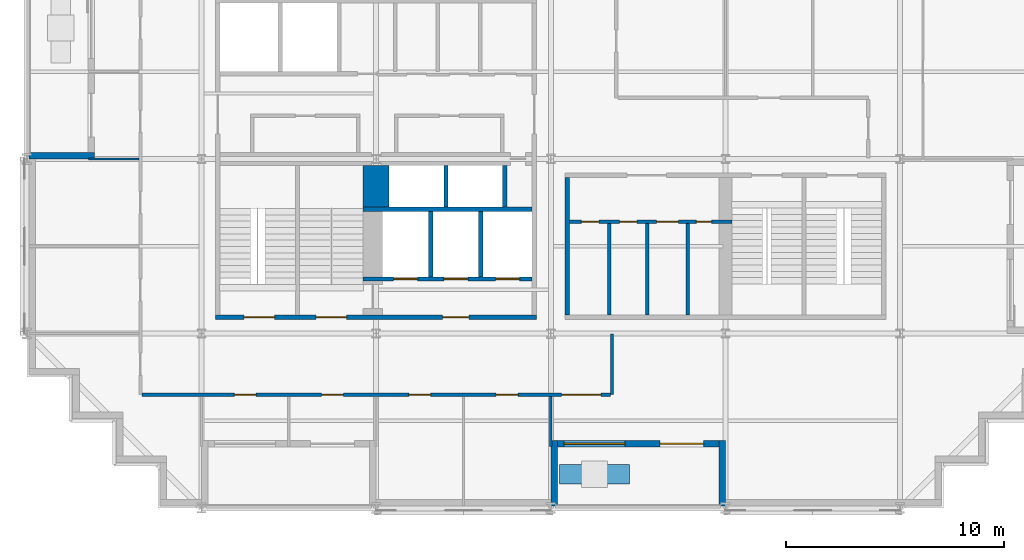
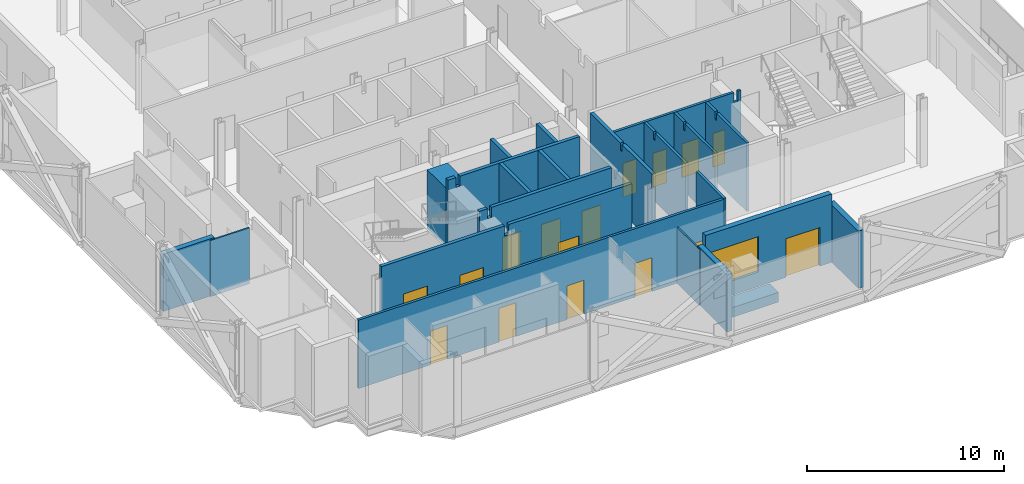
# One storey, part 6 of 15: 22 walls, 16 doors, 1 window, 17 openings.
"""IFC4 building model written with IfcOpenShell, lengths in metres."""

from ifc_helpers import new_model, si_unit, direction, frame, frame_2d, origin, place, context, subcontext, project, spatial, polyline, rectangle, outline, extrude, material, layer, layer_set, type_object, element, fill, save


model = new_model("IFC4")

# Units and contexts
model_context = context("Model", 3, precision=1e-05, world=origin(), true_north=direction((0.0, 1.0)))
body_context = subcontext(model_context, "Body", "Model", "MODEL_VIEW")
ifc_project = project(units=[si_unit("LENGTHUNIT", "METRE"), si_unit("AREAUNIT", "SQUARE_METRE"), si_unit("VOLUMEUNIT", "CUBIC_METRE"), si_unit("PLANEANGLEUNIT", "RADIAN"), si_unit("MASSUNIT", "GRAM", prefix="KILO")], contexts=[model_context])

# Site, building, storey
site_placement = place(None, origin())
site = spatial("IfcSite", under=ifc_project, at=site_placement, CompositionType="ELEMENT")
building_placement = place(site_placement, origin())
building = spatial("IfcBuilding", under=site, at=building_placement, Name="Immortelle Media Tower", CompositionType="ELEMENT")
storey_placement = place(building_placement, frame((0.0, 0.0, 83.199951171875)))
storey = spatial("IfcBuildingStorey", under=building, at=storey_placement, Name="L15", CompositionType="ELEMENT", Elevation=83.199951171875)

# Wall, openings, doors
ifc_material_1 = material(Name="Fire-rated gypsum board", Category="gypsum")
ifc_layer_1 = layer(ifc_material_1, 0.02490234375)
ifc_material_2 = material(Name="Steel ASTM A653 SS Gr 50 stud frame with mineral wool", Category="steel")
ifc_layer_2 = layer(ifc_material_2, 0.10009765625)
ifc_layer_3 = layer(ifc_material_1, 0.02490234375)
ifc_layer_set_1 = layer_set([ifc_layer_1, ifc_layer_2, ifc_layer_3], Name="Steel ASTM A653 SS Gr 50 stud frame with mineral wool")
wall_type_1 = type_object("IfcWallType", Name="Core partition 150", PredefinedType="PARTITIONING", material=ifc_layer_set_1)
wall_1_placement = place(storey_placement, frame((24.85009765625, 13.125, 0.0), z_axis=(0.0, 0.0, 1.0), x_axis=(1.0, 0.0, 0.0)))
wall_1 = element("IfcWall", 1, at=wall_1_placement, inside=storey, type_object=wall_type_1, Name="Core partition SE", PredefinedType="PARTITIONING", context=body_context, shape_type="SweptSolid", body=[
    extrude(outline(polyline([(0.0, 0.0), (7.449951171875, 0.0), (7.449951171875, 4.25), (7.26953125, 4.25), (7.2685546875, 3.632080078125), (7.031494140625, 3.632080078125), (7.030517578125, 4.25), (0.0, 4.25), (0.0, 0.0)])), frame((0.0, 0.074951171875, 0.0), z_axis=(0.0, -1.0, 0.0), x_axis=(1.0, 0.0, 0.0)), (0.0, 0.0, 1.0), 0.14990234375),
])
opening_1_placement = place(wall_1_placement, frame((1.35009765625, 0.0, 0.0), z_axis=(0.0, 0.0, 1.0), x_axis=(-1.0, 0.0, 0.0)))
opening_1 = element("IfcOpeningElement", 2, at=opening_1_placement, cuts=wall_1, Name="Opening N4-K040", PredefinedType="OPENING", context=body_context, shape_type="SweptSolid", body=[
    extrude(rectangle(XDim=0.800048828125, YDim=2.10009765625, at=frame_2d((0.39990234375, 1.050048828125))), frame((0.0, 0.0849609375, 0.0), z_axis=(0.0, -1.0, 0.0), x_axis=(1.0, 0.0, 0.0)), (0.0, 0.0, 1.0), 0.169921875),
])
opening_2_placement = place(wall_1_placement, frame((3.10009765625, 0.0, 0.0), z_axis=(0.0, 0.0, 1.0), x_axis=(-1.0, 0.0, 0.0)))
opening_2 = element("IfcOpeningElement", 3, at=opening_2_placement, cuts=wall_1, Name="Opening N4-K041", PredefinedType="OPENING", context=body_context, shape_type="SweptSolid", body=[
    extrude(rectangle(XDim=0.800048828125, YDim=2.10009765625, at=frame_2d((0.39990234375, 1.050048828125))), frame((0.0, 0.0849609375, 0.0), z_axis=(0.0, -1.0, 0.0), x_axis=(1.0, 0.0, 0.0)), (0.0, 0.0, 1.0), 0.169921875),
])
opening_3_placement = place(wall_1_placement, frame((5.0, 0.0, 0.0), z_axis=(0.0, 0.0, 1.0), x_axis=(-1.0, 0.0, 0.0)))
opening_3 = element("IfcOpeningElement", 4, at=opening_3_placement, cuts=wall_1, Name="Opening N4-K042", PredefinedType="OPENING", context=body_context, shape_type="SweptSolid", body=[
    extrude(rectangle(XDim=1.0, YDim=2.10009765625, at=frame_2d((0.5, 1.050048828125))), frame((0.0, 0.0849609375, 0.0), z_axis=(0.0, -1.0, 0.0), x_axis=(1.0, 0.0, 0.0)), (0.0, 0.0, 1.0), 0.169921875),
])
opening_4_placement = place(wall_1_placement, frame((6.52490234375, 0.0, 0.0), z_axis=(0.0, 0.0, 1.0), x_axis=(-1.0, 0.0, 0.0)))
opening_4 = element("IfcOpeningElement", 5, at=opening_4_placement, cuts=wall_1, Name="Opening N4-K043", PredefinedType="OPENING", context=body_context, shape_type="SweptSolid", body=[
    extrude(rectangle(XDim=0.699951171875, YDim=2.10009765625, at=frame_2d((0.35009765625, 1.050048828125))), frame((0.0, 0.0849609375, 0.0), z_axis=(0.0, -1.0, 0.0), x_axis=(1.0, 0.0, 0.0)), (0.0, 0.0, 1.0), 0.169921875),
])
ifc_material_3 = material(Name="Timber", Category="wood")
door_type_1 = type_object("IfcDoorType", Name="Accessible toilet door 1000 x 2100", OperationType="NOTDEFINED", PredefinedType="NOTDEFINED", material=ifc_material_3)
door_1_placement = place(opening_3_placement, origin())
door_1 = element("IfcDoor", 6, at=door_1_placement, inside=storey, type_object=door_type_1, Name="Accessible toilet N4-K042", OperationType="SINGLE_SWING_LEFT", OverallHeight=2.10009765625, OverallWidth=1.0, PredefinedType="NOTDEFINED", context=body_context, shape_type="SweptSolid", body=[
    extrude(rectangle(XDim=1.0, YDim=2.10009765625, at=frame_2d((0.5, 1.050048828125))), frame((0.0, 0.02490234375, 0.0), z_axis=(0.0, -1.0, 0.0), x_axis=(1.0, 0.0, 0.0)), (0.0, 0.0, 1.0), 0.050048828125),
])
fill(opening_3, door_1)
ifc_material_4 = material(Name="Galvanised steel door leaf and frame ASTM A653", Category="steel")
door_type_2 = type_object("IfcDoorType", Name="Service door 700 x 2100", OperationType="NOTDEFINED", PredefinedType="NOTDEFINED", material=ifc_material_4)
door_2_placement = place(opening_4_placement, origin())
door_2 = element("IfcDoor", 7, at=door_2_placement, inside=storey, type_object=door_type_2, Name="Service N4-K043", OperationType="SINGLE_SWING_LEFT", OverallHeight=2.10009765625, OverallWidth=0.699951171875, PredefinedType="NOTDEFINED", context=body_context, shape_type="SweptSolid", body=[
    extrude(rectangle(XDim=0.699951171875, YDim=2.10009765625, at=frame_2d((0.35009765625, 1.050048828125))), frame((0.0, 0.02490234375, 0.0), z_axis=(0.0, -1.0, 0.0), x_axis=(1.0, 0.0, 0.0)), (0.0, 0.0, 1.0), 0.050048828125),
])
fill(opening_4, door_2)
door_type_3 = type_object("IfcDoorType", Name="Toilet door 800 x 2100", OperationType="NOTDEFINED", PredefinedType="NOTDEFINED", material=ifc_material_3)
door_3_placement = place(opening_1_placement, origin())
door_3 = element("IfcDoor", 8, at=door_3_placement, inside=storey, type_object=door_type_3, Name="Toilet N4-K040", OperationType="SINGLE_SWING_LEFT", OverallHeight=2.10009765625, OverallWidth=0.800048828125, PredefinedType="NOTDEFINED", context=body_context, shape_type="SweptSolid", body=[
    extrude(rectangle(XDim=0.800048828125, YDim=2.10009765625, at=frame_2d((0.39990234375, 1.050048828125))), frame((0.0, 0.02490234375, 0.0), z_axis=(0.0, -1.0, 0.0), x_axis=(1.0, 0.0, 0.0)), (0.0, 0.0, 1.0), 0.050048828125),
])
fill(opening_1, door_3)
door_4_placement = place(opening_2_placement, origin())
door_4 = element("IfcDoor", 9, at=door_4_placement, inside=storey, type_object=door_type_3, Name="Toilet N4-K041", OperationType="SINGLE_SWING_RIGHT", OverallHeight=2.10009765625, OverallWidth=0.800048828125, PredefinedType="NOTDEFINED", context=body_context, shape_type="SweptSolid", body=[
    extrude(rectangle(XDim=0.800048828125, YDim=2.10009765625, at=frame_2d((0.39990234375, 1.050048828125))), frame((0.0, 0.02490234375, 0.0), z_axis=(0.0, -1.0, 0.0), x_axis=(1.0, 0.0, 0.0)), (0.0, 0.0, 1.0), 0.050048828125),
])
fill(opening_2, door_4)

# Walls
for number, where, z_axis, x_axis, name in (
    (10, (26.675048828125, 8.85009765625, 0.0), (0.0, 0.0, 1.0), (0.0, 1.0, 0.0), "Core partition SE"),
    (11, (28.425048828125, 8.85009765625, 0.0), (0.0, 0.0, 1.0), (0.0, 1.0, 0.0), "Core partition SE"),
    (12, (30.27490234375, 8.85009765625, 0.0), (0.0, 0.0, 1.0), (0.0, 1.0, 0.0), "Core partition SE"),
):
    element("IfcWall", number, at=place(storey_placement, frame(where, z_axis=z_axis, x_axis=x_axis)), inside=storey, type_object=wall_type_1, Name=name, PredefinedType="PARTITIONING", context=body_context, shape_type="SweptSolid", body=[
        extrude(outline(polyline([(0.0, 0.0), (4.199951171875, 0.0), (4.199951171875, 4.25), (3.2314453125, 4.25), (3.23046875, 3.7890625), (3.069580078125, 3.7890625), (3.068603515625, 4.25), (0.0, 4.25), (0.0, 0.0)])), frame((0.0, 0.074951171875, 0.0), z_axis=(0.0, -1.0, 0.0), x_axis=(1.0, 0.0, 0.0)), (0.0, 0.0, 1.0), 0.14990234375),
    ])

# Wall, openings, doors
ifc_layer_4 = layer(ifc_material_1, 0.03759765625)
ifc_layer_5 = layer(ifc_material_2, 0.125)
ifc_layer_6 = layer(ifc_material_1, 0.03759765625)
ifc_layer_set_2 = layer_set([ifc_layer_4, ifc_layer_5, ifc_layer_6], Name="Steel ASTM A653 SS Gr 50 stud frame with mineral wool")
wall_type_2 = type_object("IfcWallType", Name="Core shaft wall 200", PredefinedType="PARTITIONING", material=ifc_layer_set_2)
wall_2_placement = place(storey_placement, frame((15.39990234375, 10.5, 0.0), z_axis=(0.0, 0.0, 1.0), x_axis=(1.0, 0.0, 0.0)))
wall_2 = element("IfcWall", 13, at=wall_2_placement, inside=storey, type_object=wall_type_2, Name="Core shaft wall SW", PredefinedType="PARTITIONING", context=body_context, shape_type="SweptSolid", body=[
    extrude(outline(polyline([(0.0, 0.0), (7.75, 0.0), (7.75, 4.25), (0.719482421875, 4.25), (0.718505859375, 3.632080078125), (0.4814453125, 3.632080078125), (0.48046875, 4.25), (0.0, 4.25), (0.0, 0.0)])), frame((0.0, 0.10009765625, 0.0), z_axis=(0.0, -1.0, 0.0), x_axis=(1.0, 0.0, 0.0)), (0.0, 0.0, 1.0), 0.199951171875),
])
opening_5_placement = place(wall_2_placement, frame((1.39990234375, 0.0, 0.0)))
opening_5 = element("IfcOpeningElement", 14, at=opening_5_placement, cuts=wall_2, Name="Opening LD", PredefinedType="OPENING", context=body_context, shape_type="SweptSolid", body=[
    extrude(rectangle(XDim=1.10009765625, YDim=2.10009765625, at=frame_2d((0.550048828125, 1.050048828125))), frame((0.0, 0.10986328125, 0.0), z_axis=(0.0, -1.0, 0.0), x_axis=(1.0, 0.0, 0.0)), (0.0, 0.0, 1.0), 0.219970703125),
])
opening_6_placement = place(wall_2_placement, frame((3.699951171875, 0.0, 0.0)))
opening_6 = element("IfcOpeningElement", 15, at=opening_6_placement, cuts=wall_2, Name="Opening LD", PredefinedType="OPENING", context=body_context, shape_type="SweptSolid", body=[
    extrude(rectangle(XDim=1.10009765625, YDim=2.10009765625, at=frame_2d((0.550048828125, 1.050048828125))), frame((0.0, 0.10986328125, 0.0), z_axis=(0.0, -1.0, 0.0), x_axis=(1.0, 0.0, 0.0)), (0.0, 0.0, 1.0), 0.219970703125),
])
opening_7_placement = place(wall_2_placement, frame((6.074951171875, 0.0, 0.0)))
opening_7 = element("IfcOpeningElement", 16, at=opening_7_placement, cuts=wall_2, Name="Opening LD", PredefinedType="OPENING", context=body_context, shape_type="SweptSolid", body=[
    extrude(rectangle(XDim=1.10009765625, YDim=2.10009765625, at=frame_2d((0.550048828125, 1.050048828125))), frame((0.0, 0.10986328125, 0.0), z_axis=(0.0, -1.0, 0.0), x_axis=(1.0, 0.0, 0.0)), (0.0, 0.0, 1.0), 0.219970703125),
])
ifc_material_5 = material(Name="Stainless steel AISI 304", Category="steel")
door_type_4 = type_object("IfcDoorType", Name="Landing door 1100 x 2100", OperationType="SLIDING_TO_LEFT", PredefinedType="NOTDEFINED", material=ifc_material_5)
door_5_placement = place(opening_5_placement, origin())
door_5 = element("IfcDoor", 17, at=door_5_placement, inside=storey, type_object=door_type_4, Name="Landing door FF1 L15", OperationType="SLIDING_TO_LEFT", OverallHeight=2.10009765625, OverallWidth=1.10009765625, PredefinedType="NOTDEFINED", context=body_context, shape_type="SweptSolid", body=[
    extrude(rectangle(XDim=1.10009765625, YDim=2.10009765625, at=frame_2d((0.550048828125, 1.050048828125))), frame((0.0, 0.02490234375, 0.0), z_axis=(0.0, -1.0, 0.0), x_axis=(1.0, 0.0, 0.0)), (0.0, 0.0, 1.0), 0.050048828125),
])
fill(opening_5, door_5)
door_6_placement = place(opening_6_placement, origin())
door_6 = element("IfcDoor", 18, at=door_6_placement, inside=storey, type_object=door_type_4, Name="Landing door FF2 L15", OperationType="SLIDING_TO_LEFT", OverallHeight=2.10009765625, OverallWidth=1.10009765625, PredefinedType="NOTDEFINED", context=body_context, shape_type="SweptSolid", body=[
    extrude(rectangle(XDim=1.10009765625, YDim=2.10009765625, at=frame_2d((0.550048828125, 1.050048828125))), frame((0.0, 0.02490234375, 0.0), z_axis=(0.0, -1.0, 0.0), x_axis=(1.0, 0.0, 0.0)), (0.0, 0.0, 1.0), 0.050048828125),
])
fill(opening_6, door_6)
door_7_placement = place(opening_7_placement, origin())
door_7 = element("IfcDoor", 19, at=door_7_placement, inside=storey, type_object=door_type_4, Name="Landing door FF3 L15", OperationType="SLIDING_TO_LEFT", OverallHeight=2.10009765625, OverallWidth=1.10009765625, PredefinedType="NOTDEFINED", context=body_context, shape_type="SweptSolid", body=[
    extrude(rectangle(XDim=1.10009765625, YDim=2.10009765625, at=frame_2d((0.550048828125, 1.050048828125))), frame((0.0, 0.02490234375, 0.0), z_axis=(0.0, -1.0, 0.0), x_axis=(1.0, 0.0, 0.0)), (0.0, 0.0, 1.0), 0.050048828125),
])
fill(opening_7, door_7)

# Walls
wall_3_placement = place(storey_placement, frame((15.39990234375, 13.699951171875, 0.0), z_axis=(0.0, 0.0, 1.0), x_axis=(1.0, 0.0, 0.0)))
element("IfcWall", 20, at=wall_3_placement, inside=storey, type_object=wall_type_2, Name="Core shaft wall SW", PredefinedType="PARTITIONING", context=body_context, shape_type="SweptSolid", body=[
    extrude(outline(polyline([(0.0, 0.0), (7.75, 0.0), (7.75, 4.25), (0.719482421875, 4.25), (0.718505859375, 3.632080078125), (0.4814453125, 3.632080078125), (0.48046875, 4.25), (0.0, 4.25), (0.0, 0.0)])), frame((0.0, 0.10009765625, 0.0), z_axis=(0.0, -1.0, 0.0), x_axis=(1.0, 0.0, 0.0)), (0.0, 0.0, 1.0), 0.199951171875),
])
wall_4_placement = place(storey_placement, frame((18.5, 10.60009765625, 0.0), z_axis=(0.0, 0.0, 1.0), x_axis=(0.0, 1.0, 0.0)))
element("IfcWall", 21, at=wall_4_placement, inside=storey, type_object=wall_type_2, Name="Core shaft wall SW", PredefinedType="PARTITIONING", context=body_context, shape_type="SweptSolid", body=[
    extrude(rectangle(XDim=3.0, YDim=0.199951171875, at=frame_2d((1.5, 0.0))), origin(), (0.0, 0.0, 1.0), 4.25),
])
wall_5_placement = place(storey_placement, frame((19.199951171875, 13.800048828125, 0.0), z_axis=(0.0, 0.0, 1.0), x_axis=(0.0, 1.0, 0.0)))
element("IfcWall", 22, at=wall_5_placement, inside=storey, type_object=wall_type_2, Name="Core shaft wall SW", PredefinedType="PARTITIONING", context=body_context, shape_type="SweptSolid", body=[
    extrude(rectangle(XDim=1.89990234375, YDim=0.199951171875, at=frame_2d((0.949951171875, 0.0))), origin(), (0.0, 0.0, 1.0), 4.25),
])
wall_6_placement = place(storey_placement, frame((20.800048828125, 10.60009765625, 0.0), z_axis=(0.0, 0.0, 1.0), x_axis=(0.0, 1.0, 0.0)))
element("IfcWall", 23, at=wall_6_placement, inside=storey, type_object=wall_type_2, Name="Core shaft wall SW", PredefinedType="PARTITIONING", context=body_context, shape_type="SweptSolid", body=[
    extrude(rectangle(XDim=3.0, YDim=0.199951171875, at=frame_2d((1.5, 0.0))), origin(), (0.0, 0.0, 1.0), 4.25),
])
wall_7_placement = place(storey_placement, frame((21.89990234375, 13.800048828125, 0.0), z_axis=(0.0, 0.0, 1.0), x_axis=(0.0, 1.0, 0.0)))
element("IfcWall", 24, at=wall_7_placement, inside=storey, type_object=wall_type_2, Name="Core shaft wall SW", PredefinedType="PARTITIONING", context=body_context, shape_type="SweptSolid", body=[
    extrude(rectangle(XDim=1.89990234375, YDim=0.199951171875, at=frame_2d((0.949951171875, 0.0))), origin(), (0.0, 0.0, 1.0), 4.25),
])
wall_8_placement = place(storey_placement, frame((24.75, 8.85009765625, 0.0), z_axis=(0.0, 0.0, 1.0), x_axis=(0.0, 1.0, 0.0)))
element("IfcWall", 25, at=wall_8_placement, inside=storey, type_object=wall_type_2, Name="Core shaft wall SE", PredefinedType="PARTITIONING", context=body_context, shape_type="SweptSolid", body=[
    extrude(outline(polyline([(0.0, 0.0), (6.2998046875, 0.0), (6.300048828125, 4.25), (3.2314453125, 4.25), (3.23046875, 3.7890625), (3.069580078125, 3.7890625), (3.068603515625, 4.25), (0.0, 4.25), (0.0, 0.0)])), frame((0.0, 0.10009765625, 0.0), z_axis=(0.0, -1.0, 0.0), x_axis=(1.0, 0.0, 0.0)), (0.0, 0.0, 1.0), 0.199951171875),
])

# Wall, openings, doors
ifc_layer_7 = layer(ifc_material_1, 0.012451171875)
ifc_layer_8 = layer(ifc_material_2, 0.125)
ifc_layer_9 = layer(ifc_material_1, 0.012451171875)
ifc_layer_set_3 = layer_set([ifc_layer_7, ifc_layer_8, ifc_layer_9], Name="Steel ASTM A653 SS Gr 50 stud frame with mineral wool")
wall_type_3 = type_object("IfcWallType", Name="Corridor wall 150", PredefinedType="PARTITIONING", material=ifc_layer_set_3)
wall_9_placement = place(storey_placement, frame((5.27490234375, 5.199951171875, 0.0), z_axis=(0.0, 0.0, 1.0), x_axis=(1.0, 0.0, 0.0)))
wall_9 = element("IfcWall", 26, at=wall_9_placement, inside=storey, type_object=wall_type_3, Name="Partition L15-006", PredefinedType="PARTITIONING", context=body_context, shape_type="SweptSolid", body=[
    extrude(rectangle(XDim=21.4501953125, YDim=0.14990234375, at=frame_2d((10.72509765625, 0.0))), origin(), (0.0, 0.0, 1.0), 4.25),
])
opening_8_placement = place(wall_9_placement, frame((13.22509765625, 0.0, 0.0), z_axis=(0.0, 0.0, 1.0), x_axis=(-1.0, 0.0, 0.0)))
opening_8 = element("IfcOpeningElement", 27, at=opening_8_placement, cuts=wall_9, Name="Opening N4-F001", PredefinedType="OPENING", context=body_context, shape_type="SweptSolid", body=[
    extrude(rectangle(XDim=1.0, YDim=2.10009765625, at=frame_2d((0.5, 1.050048828125))), frame((0.0, 0.0849609375, 0.0), z_axis=(0.0, -1.0, 0.0), x_axis=(1.0, 0.0, 0.0)), (0.0, 0.0, 1.0), 0.169921875),
])
opening_9_placement = place(wall_9_placement, frame((17.22509765625, 0.0, 0.0), z_axis=(0.0, 0.0, 1.0), x_axis=(-1.0, 0.0, 0.0)))
opening_9 = element("IfcOpeningElement", 28, at=opening_9_placement, cuts=wall_9, Name="Opening N4-F002", PredefinedType="OPENING", context=body_context, shape_type="SweptSolid", body=[
    extrude(rectangle(XDim=1.0, YDim=2.10009765625, at=frame_2d((0.5, 1.050048828125))), frame((0.0, 0.0849609375, 0.0), z_axis=(0.0, -1.0, 0.0), x_axis=(1.0, 0.0, 0.0)), (0.0, 0.0, 1.0), 0.169921875),
])
opening_10_placement = place(wall_9_placement, frame((5.22509765625, 0.0, 0.0), z_axis=(0.0, 0.0, 1.0), x_axis=(-1.0, 0.0, 0.0)))
opening_10 = element("IfcOpeningElement", 29, at=opening_10_placement, cuts=wall_9, Name="Opening N4-F003", PredefinedType="OPENING", context=body_context, shape_type="SweptSolid", body=[
    extrude(rectangle(XDim=1.0, YDim=2.10009765625, at=frame_2d((0.5, 1.050048828125))), frame((0.0, 0.0849609375, 0.0), z_axis=(0.0, -1.0, 0.0), x_axis=(1.0, 0.0, 0.0)), (0.0, 0.0, 1.0), 0.169921875),
])
opening_11_placement = place(wall_9_placement, frame((9.22509765625, 0.0, 0.0), z_axis=(0.0, 0.0, 1.0), x_axis=(-1.0, 0.0, 0.0)))
opening_11 = element("IfcOpeningElement", 30, at=opening_11_placement, cuts=wall_9, Name="Opening N4-F004", PredefinedType="OPENING", context=body_context, shape_type="SweptSolid", body=[
    extrude(rectangle(XDim=1.0, YDim=2.10009765625, at=frame_2d((0.5, 1.050048828125))), frame((0.0, 0.0849609375, 0.0), z_axis=(0.0, -1.0, 0.0), x_axis=(1.0, 0.0, 0.0)), (0.0, 0.0, 1.0), 0.169921875),
])
opening_12_placement = place(wall_9_placement, frame((19.22509765625, 0.0, 0.0)))
opening_12 = element("IfcOpeningElement", 31, at=opening_12_placement, cuts=wall_9, Name="Opening N4-F006", PredefinedType="OPENING", context=body_context, shape_type="SweptSolid", body=[
    extrude(rectangle(XDim=1.800048828125, YDim=2.10009765625, at=frame_2d((0.89990234375, 1.050048828125))), frame((0.0, 0.0849609375, 0.0), z_axis=(0.0, -1.0, 0.0), x_axis=(1.0, 0.0, 0.0)), (0.0, 0.0, 1.0), 0.169921875),
])
ifc_material_6 = material(Name="Timber veneered door leaf, galvanised steel frame ASTM A653", Category="steel")
door_type_5 = type_object("IfcDoorType", Name="Room door 1000 x 2100", OperationType="NOTDEFINED", PredefinedType="DOOR", material=ifc_material_6)
door_8_placement = place(opening_8_placement, origin())
door_8 = element("IfcDoor", 32, at=door_8_placement, inside=storey, type_object=door_type_5, Name="Door N4-F001", OperationType="SINGLE_SWING_RIGHT", OverallHeight=2.10009765625, OverallWidth=1.0, PredefinedType="DOOR", context=body_context, shape_type="SweptSolid", body=[
    extrude(rectangle(XDim=1.0, YDim=2.10009765625, at=frame_2d((0.5, 1.050048828125))), frame((0.0, 0.02490234375, 0.0), z_axis=(0.0, -1.0, 0.0), x_axis=(1.0, 0.0, 0.0)), (0.0, 0.0, 1.0), 0.050048828125),
])
fill(opening_8, door_8)
door_9_placement = place(opening_9_placement, origin())
door_9 = element("IfcDoor", 33, at=door_9_placement, inside=storey, type_object=door_type_5, Name="Door N4-F002", OperationType="SINGLE_SWING_LEFT", OverallHeight=2.10009765625, OverallWidth=1.0, PredefinedType="DOOR", context=body_context, shape_type="SweptSolid", body=[
    extrude(rectangle(XDim=1.0, YDim=2.10009765625, at=frame_2d((0.5, 1.050048828125))), frame((0.0, 0.02490234375, 0.0), z_axis=(0.0, -1.0, 0.0), x_axis=(1.0, 0.0, 0.0)), (0.0, 0.0, 1.0), 0.050048828125),
])
fill(opening_9, door_9)
door_10_placement = place(opening_10_placement, origin())
door_10 = element("IfcDoor", 34, at=door_10_placement, inside=storey, type_object=door_type_5, Name="Door N4-F003", OperationType="SINGLE_SWING_RIGHT", OverallHeight=2.10009765625, OverallWidth=1.0, PredefinedType="DOOR", context=body_context, shape_type="SweptSolid", body=[
    extrude(rectangle(XDim=1.0, YDim=2.10009765625, at=frame_2d((0.5, 1.050048828125))), frame((0.0, 0.02490234375, 0.0), z_axis=(0.0, -1.0, 0.0), x_axis=(1.0, 0.0, 0.0)), (0.0, 0.0, 1.0), 0.050048828125),
])
fill(opening_10, door_10)
door_11_placement = place(opening_11_placement, origin())
door_11 = element("IfcDoor", 35, at=door_11_placement, inside=storey, type_object=door_type_5, Name="Door N4-F004", OperationType="SINGLE_SWING_RIGHT", OverallHeight=2.10009765625, OverallWidth=1.0, PredefinedType="DOOR", context=body_context, shape_type="SweptSolid", body=[
    extrude(rectangle(XDim=1.0, YDim=2.10009765625, at=frame_2d((0.5, 1.050048828125))), frame((0.0, 0.02490234375, 0.0), z_axis=(0.0, -1.0, 0.0), x_axis=(1.0, 0.0, 0.0)), (0.0, 0.0, 1.0), 0.050048828125),
])
fill(opening_11, door_11)
door_type_6 = type_object("IfcDoorType", Name="Room door 1800 x 2100", OperationType="DOUBLE_DOOR_SINGLE_SWING", PredefinedType="DOOR", material=ifc_material_6)
door_12_placement = place(opening_12_placement, origin())
door_12 = element("IfcDoor", 36, at=door_12_placement, inside=storey, type_object=door_type_6, Name="Door N4-F006", OperationType="DOUBLE_DOOR_SINGLE_SWING", OverallHeight=2.10009765625, OverallWidth=1.800048828125, PredefinedType="DOOR", context=body_context, shape_type="SweptSolid", body=[
    extrude(rectangle(XDim=1.800048828125, YDim=2.10009765625, at=frame_2d((0.89990234375, 1.050048828125))), frame((0.0, 0.02490234375, 0.0), z_axis=(0.0, -1.0, 0.0), x_axis=(1.0, 0.0, 0.0)), (0.0, 0.0, 1.0), 0.050048828125),
])
fill(opening_12, door_12)

# Walls
wall_10_placement = place(storey_placement, frame((26.800048828125, 5.199951171875, 0.0), z_axis=(0.0, 0.0, 1.0), x_axis=(0.0, 1.0, 0.0)))
element("IfcWall", 37, at=wall_10_placement, inside=storey, type_object=wall_type_3, Name="Partition L15-008", PredefinedType="PARTITIONING", context=body_context, shape_type="SweptSolid", body=[
    extrude(rectangle(XDim=2.77001953125, YDim=0.14990234375, at=frame_2d((1.385009765625, 0.0))), origin(), (0.0, 0.0, 1.0), 4.25),
])
ifc_material_7 = material(Name="Pale aluminium cladding panel", Category="aluminium")
ifc_layer_10 = layer(ifc_material_7, 0.030029296875)
ifc_layer_11 = layer(ifc_material_2, 0.257568359375)
ifc_material_8 = material(Name="Moisture-resistant gypsum board", Category="gypsum")
ifc_layer_12 = layer(ifc_material_8, 0.012451171875)
ifc_layer_set_4 = layer_set([ifc_layer_10, ifc_layer_11, ifc_layer_12], Name="Steel ASTM A653 SS Gr 50 stud frame with mineral wool")
wall_type_4 = type_object("IfcWallType", Name="Facade wall 300", PredefinedType="SOLIDWALL", material=ifc_layer_set_4)
wall_11_placement = place(storey_placement, frame((0.10009765625, 16.14990234375, 0.0), z_axis=(0.0, 0.0, 1.0), x_axis=(1.0, 0.0, 0.0)))
element("IfcWall", 38, at=wall_11_placement, inside=storey, type_object=wall_type_4, Name="Loggia cheek wall L15 W", PredefinedType="SOLIDWALL", context=body_context, shape_type="SweptSolid", body=[
    extrude(rectangle(XDim=3.0, YDim=0.300048828125, at=frame_2d((1.5, 0.0))), origin(), (0.0, 0.0, 1.0), 3.55615234375),
])

# Wall, openings, door, window
wall_12_placement = place(storey_placement, frame((24.300048828125, 2.949951171875, 0.0), z_axis=(0.0, 0.0, 1.0), x_axis=(1.0, 0.0, 0.0)))
wall_12 = element("IfcWall", 39, at=wall_12_placement, inside=storey, type_object=wall_type_4, Name="Loggia wall L15 S7", PredefinedType="SOLIDWALL", context=body_context, shape_type="SweptSolid", body=[
    extrude(rectangle(XDim=7.39990234375, YDim=0.300048828125, at=frame_2d((3.699951171875, 0.0))), origin(), (0.0, 0.0, 1.0), 4.25),
])
opening_13_placement = place(wall_12_placement, frame((0.300048828125, 0.0, 0.89990234375)))
opening_13 = element("IfcOpeningElement", 40, at=opening_13_placement, cuts=wall_12, Name="Opening W1", PredefinedType="OPENING", context=body_context, shape_type="SweptSolid", body=[
    extrude(rectangle(XDim=2.800048828125, YDim=2.199951171875, at=frame_2d((1.39990234375, 1.10009765625))), frame((0.0, 0.159912109375, 0.0), z_axis=(0.0, -1.0, 0.0), x_axis=(1.0, 0.0, 0.0)), (0.0, 0.0, 1.0), 0.320068359375),
])
opening_14_placement = place(wall_12_placement, frame((4.699951171875, 0.0, 0.0)))
opening_14 = element("IfcOpeningElement", 41, at=opening_14_placement, cuts=wall_12, Name="Opening N4-E004", PredefinedType="OPENING", context=body_context, shape_type="SweptSolid", body=[
    extrude(rectangle(XDim=2.0, YDim=2.39990234375, at=frame_2d((1.0, 1.199951171875))), frame((0.0, 0.159912109375, 0.0), z_axis=(0.0, -1.0, 0.0), x_axis=(1.0, 0.0, 0.0)), (0.0, 0.0, 1.0), 0.320068359375),
])
ifc_material_9 = material(Name="Aluminium frame, glazed leaves", Category="aluminium")
door_type_7 = type_object("IfcDoorType", Name="Loggia door 2000 x 2400", OperationType="DOUBLE_DOOR_SINGLE_SWING", PredefinedType="DOOR", material=ifc_material_9)
door_13_placement = place(opening_14_placement, origin())
door_13 = element("IfcDoor", 42, at=door_13_placement, inside=storey, type_object=door_type_7, Name="Door N4-E004", OperationType="DOUBLE_DOOR_SINGLE_SWING", OverallHeight=2.39990234375, OverallWidth=2.0, PredefinedType="DOOR", context=body_context, shape_type="SweptSolid", body=[
    extrude(rectangle(XDim=2.0, YDim=2.39990234375, at=frame_2d((1.0, 1.199951171875))), frame((0.0, 0.02490234375, 0.0), z_axis=(0.0, -1.0, 0.0), x_axis=(1.0, 0.0, 0.0)), (0.0, 0.0, 1.0), 0.050048828125),
])
fill(opening_14, door_13)
ifc_material_10 = material(Name="Aluminium frame", Category="aluminium")
window_type = type_object("IfcWindowType", Name="Window 2800 x 2200", PartitioningType="SINGLE_PANEL", PredefinedType="WINDOW", material=ifc_material_10)
window_placement = place(opening_13_placement, origin())
window = element("IfcWindow", 43, at=window_placement, inside=storey, type_object=window_type, Name="Window L15 L15-R7-B2", OverallHeight=2.199951171875, OverallWidth=2.800048828125, PartitioningType="SINGLE_PANEL", PredefinedType="WINDOW", context=body_context, shape_type="SweptSolid", body=[
    extrude(rectangle(XDim=2.800048828125, YDim=2.199951171875, at=frame_2d((1.39990234375, 1.10009765625))), frame((0.0, 0.030029296875, 0.0), z_axis=(0.0, -1.0, 0.0), x_axis=(1.0, 0.0, 0.0)), (0.0, 0.0, 1.0), 0.06005859375),
])
fill(opening_13, window)

# Walls
for number, where, z_axis, x_axis, name in (
    (44, (24.14990234375, 0.10009765625, 0.0), (0.0, 0.0, 1.0), (0.0, 1.0, 0.0), "Loggia cheek wall L15 S"),
    (45, (31.85009765625, 0.10009765625, 0.0), (0.0, 0.0, 1.0), (0.0, 1.0, 0.0), "Loggia cheek wall L15 S"),
):
    element("IfcWall", number, at=place(storey_placement, frame(where, z_axis=z_axis, x_axis=x_axis)), inside=storey, type_object=wall_type_4, Name=name, PredefinedType="SOLIDWALL", context=body_context, shape_type="SweptSolid", body=[
        extrude(rectangle(XDim=3.0, YDim=0.300048828125, at=frame_2d((1.5, 0.0))), origin(), (0.0, 0.0, 1.0), 3.55615234375),
    ])
ifc_material_11 = material(Name="Gypsum board", Category="gypsum")
ifc_layer_13 = layer(ifc_material_11, 0.012451171875)
ifc_layer_14 = layer(ifc_material_2, 0.074951171875)
ifc_layer_15 = layer(ifc_material_11, 0.012451171875)
ifc_layer_set_5 = layer_set([ifc_layer_13, ifc_layer_14, ifc_layer_15], Name="Steel ASTM A653 SS Gr 50 stud frame with mineral wool")
wall_type_5 = type_object("IfcWallType", Name="Partition 100", PredefinedType="PARTITIONING", material=ifc_layer_set_5)
for number, where, z_axis, x_axis, name in (
    (46, (24.0, 2.830078125, 0.0), (0.0, 0.0, 1.0), (0.0, 1.0, 0.0), "Partition L15-005"),
    (47, (2.830078125, 16.0, 0.0), (0.0, 0.0, 1.0), (1.0, 0.0, 0.0), "Partition L15-011"),
):
    element("IfcWall", number, at=place(storey_placement, frame(where, z_axis=z_axis, x_axis=x_axis)), inside=storey, type_object=wall_type_5, Name=name, PredefinedType="PARTITIONING", context=body_context, shape_type="SweptSolid", body=[
        extrude(rectangle(XDim=2.294921875, YDim=0.10009765625, at=frame_2d((1.1474609375, 0.0))), origin(), (0.0, 0.0, 1.0), 3.469970703125),
    ])
ifc_layer_16 = layer(ifc_material_7, 0.0029296875)
ifc_material_12 = material(Name="Steel ASTM A572 Gr 50 planter shell", Category="steel")
ifc_layer_17 = layer(ifc_material_12, 0.011962890625)
ifc_material_13 = material(Name="Planting substrate", Category="soil")
ifc_layer_18 = layer(ifc_material_13, 0.873046875)
ifc_layer_19 = layer(ifc_material_12, 0.011962890625)
ifc_layer_set_6 = layer_set([ifc_layer_16, ifc_layer_17, ifc_layer_18, ifc_layer_19], Name="Steel ASTM A572 Gr 50 planter shell")
wall_type_6 = type_object("IfcWallType", Name="Planter wall 900", PredefinedType="SOLIDWALL", material=ifc_layer_set_6)
wall_13_placement = place(storey_placement, frame((24.39990234375, 1.550048828125, 0.0), z_axis=(0.0, 0.0, 1.0), x_axis=(1.0, 0.0, 0.0)))
element("IfcWall", 48, at=wall_13_placement, inside=storey, type_object=wall_type_6, Name="Planter L15 S2", PredefinedType="SOLIDWALL", context=body_context, shape_type="SweptSolid", body=[
    extrude(rectangle(XDim=3.2001953125, YDim=0.89990234375, at=frame_2d((1.60009765625, 0.0))), origin(), (0.0, 0.0, 1.0), 0.60009765625),
])
ifc_material_14 = material(Name="Concrete C60", Category="concrete")
ifc_layer_20 = layer(ifc_material_14, 1.199951171875)
ifc_layer_set_7 = layer_set([ifc_layer_20], Name="Concrete C60")
wall_type_7 = type_object("IfcWallType", Name="Stair shaft wall 1200", PredefinedType="PARTITIONING", material=ifc_layer_set_7)
wall_14_placement = place(storey_placement, frame((16.0, 13.800048828125, 0.0), z_axis=(0.0, 0.0, 1.0), x_axis=(0.0, 1.0, 0.0)))
element("IfcWall", 49, at=wall_14_placement, inside=storey, type_object=wall_type_7, Name="Stair shaft wall SW", PredefinedType="PARTITIONING", context=body_context, shape_type="SweptSolid", body=[
    extrude(rectangle(XDim=1.89990234375, YDim=1.199951171875, at=frame_2d((0.949951171875, 0.0))), origin(), (0.0, 0.0, 1.0), 3.632080078125),
])

# Wall, openings, doors
ifc_layer_21 = layer(ifc_material_14, 0.199951171875)
ifc_layer_set_8 = layer_set([ifc_layer_21], Name="Concrete C60")
wall_type_8 = type_object("IfcWallType", Name="Stair shaft wall 200", PredefinedType="PARTITIONING", material=ifc_layer_set_8)
wall_15_placement = place(storey_placement, frame((8.64990234375, 8.75, 0.0), z_axis=(0.0, 0.0, 1.0), x_axis=(1.0, 0.0, 0.0)))
wall_15 = element("IfcWall", 50, at=wall_15_placement, inside=storey, type_object=wall_type_8, Name="Stair shaft wall SW", PredefinedType="PARTITIONING", context=body_context, shape_type="SweptSolid", body=[
    extrude(outline(polyline([(0.0, 0.0), (14.7001953125, 0.0), (14.699951171875, 4.25), (7.469482421875, 4.25), (7.468505859375, 3.632080078125), (7.2314453125, 3.632080078125), (7.23046875, 4.25), (0.0, 4.25), (0.0, 0.0)])), frame((0.0, 0.10009765625, 0.0), z_axis=(0.0, -1.0, 0.0), x_axis=(1.0, 0.0, 0.0)), (0.0, 0.0, 1.0), 0.199951171875),
])
opening_15_placement = place(wall_15_placement, frame((1.300048828125, 0.0, 0.0)))
opening_15 = element("IfcOpeningElement", 51, at=opening_15_placement, cuts=wall_15, Name="Opening N4-K002", PredefinedType="OPENING", context=body_context, shape_type="SweptSolid", body=[
    extrude(rectangle(XDim=1.39990234375, YDim=2.10009765625, at=frame_2d((0.699951171875, 1.050048828125))), frame((0.0, 0.10986328125, 0.0), z_axis=(0.0, -1.0, 0.0), x_axis=(1.0, 0.0, 0.0)), (0.0, 0.0, 1.0), 0.219970703125),
])
opening_16_placement = place(wall_15_placement, frame((4.60009765625, 0.0, 0.0)))
opening_16 = element("IfcOpeningElement", 52, at=opening_16_placement, cuts=wall_15, Name="Opening N4-K004", PredefinedType="OPENING", context=body_context, shape_type="SweptSolid", body=[
    extrude(rectangle(XDim=1.39990234375, YDim=2.10009765625, at=frame_2d((0.699951171875, 1.050048828125))), frame((0.0, 0.10986328125, 0.0), z_axis=(0.0, -1.0, 0.0), x_axis=(1.0, 0.0, 0.0)), (0.0, 0.0, 1.0), 0.219970703125),
])
opening_17_placement = place(wall_15_placement, frame((10.39990234375, 0.0, 0.0)))
opening_17 = element("IfcOpeningElement", 53, at=opening_17_placement, cuts=wall_15, Name="Opening N4-K009", PredefinedType="OPENING", context=body_context, shape_type="SweptSolid", body=[
    extrude(rectangle(XDim=1.199951171875, YDim=2.10009765625, at=frame_2d((0.60009765625, 1.050048828125))), frame((0.0, 0.10986328125, 0.0), z_axis=(0.0, -1.0, 0.0), x_axis=(1.0, 0.0, 0.0)), (0.0, 0.0, 1.0), 0.219970703125),
])
door_type_8 = type_object("IfcDoorType", Name="Fire-fighting lobby door 1200 x 2100", OperationType="NOTDEFINED", PredefinedType="NOTDEFINED", material=ifc_material_4)
door_14_placement = place(opening_17_placement, origin())
door_14 = element("IfcDoor", 54, at=door_14_placement, inside=storey, type_object=door_type_8, Name="Fire-fighting lobby N4-K009", OperationType="SINGLE_SWING_LEFT", OverallHeight=2.10009765625, OverallWidth=1.199951171875, PredefinedType="NOTDEFINED", context=body_context, shape_type="SweptSolid", body=[
    extrude(rectangle(XDim=1.199951171875, YDim=2.10009765625, at=frame_2d((0.60009765625, 1.050048828125))), frame((0.0, 0.02490234375, 0.0), z_axis=(0.0, -1.0, 0.0), x_axis=(1.0, 0.0, 0.0)), (0.0, 0.0, 1.0), 0.050048828125),
])
fill(opening_17, door_14)
door_type_9 = type_object("IfcDoorType", Name="Stair door 1400 x 2100", OperationType="DOUBLE_DOOR_SINGLE_SWING", PredefinedType="NOTDEFINED", material=ifc_material_4)
door_15_placement = place(opening_15_placement, origin())
door_15 = element("IfcDoor", 55, at=door_15_placement, inside=storey, type_object=door_type_9, Name="Stair N4-K002", OperationType="DOUBLE_DOOR_SINGLE_SWING", OverallHeight=2.10009765625, OverallWidth=1.39990234375, PredefinedType="NOTDEFINED", context=body_context, shape_type="SweptSolid", body=[
    extrude(rectangle(XDim=1.39990234375, YDim=2.10009765625, at=frame_2d((0.699951171875, 1.050048828125))), frame((0.0, 0.02490234375, 0.0), z_axis=(0.0, -1.0, 0.0), x_axis=(1.0, 0.0, 0.0)), (0.0, 0.0, 1.0), 0.050048828125),
])
fill(opening_15, door_15)
door_16_placement = place(opening_16_placement, origin())
door_16 = element("IfcDoor", 56, at=door_16_placement, inside=storey, type_object=door_type_9, Name="Stair N4-K004", OperationType="DOUBLE_DOOR_SINGLE_SWING", OverallHeight=2.10009765625, OverallWidth=1.39990234375, PredefinedType="NOTDEFINED", context=body_context, shape_type="SweptSolid", body=[
    extrude(rectangle(XDim=1.39990234375, YDim=2.10009765625, at=frame_2d((0.699951171875, 1.050048828125))), frame((0.0, 0.02490234375, 0.0), z_axis=(0.0, -1.0, 0.0), x_axis=(1.0, 0.0, 0.0)), (0.0, 0.0, 1.0), 0.050048828125),
])
fill(opening_16, door_16)

save(model, "model.ifc")
